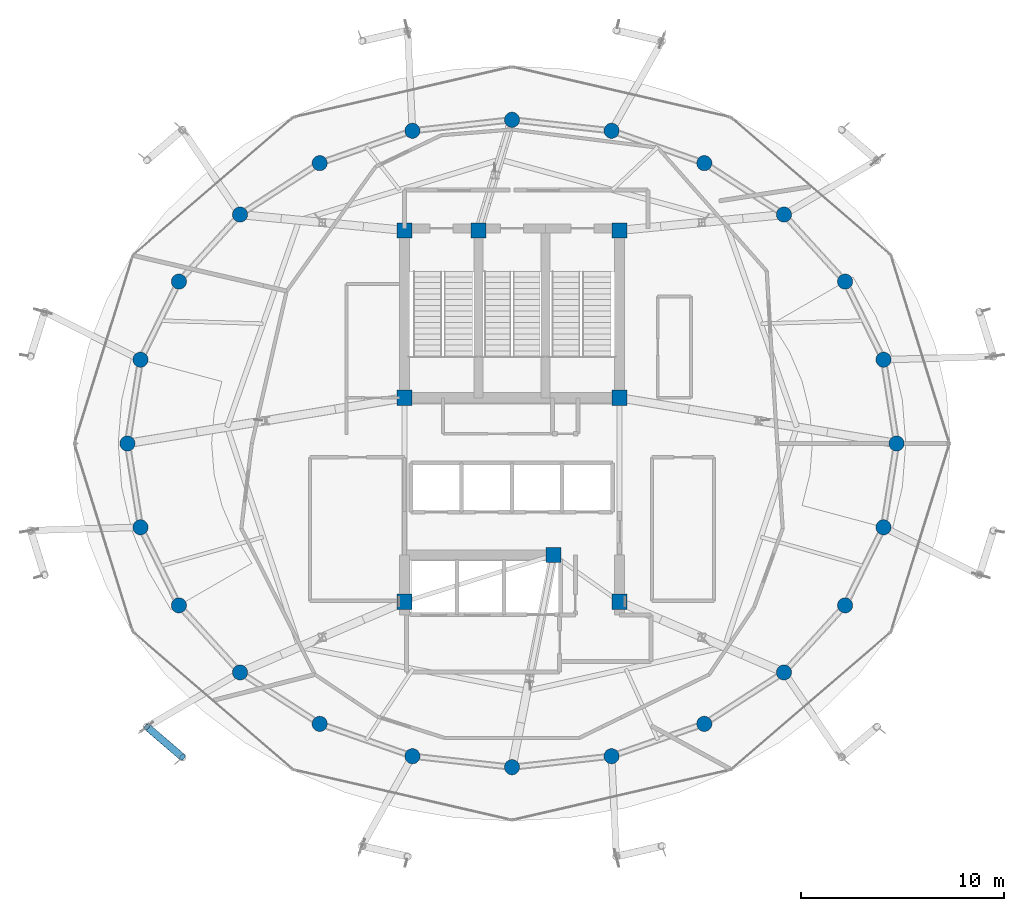
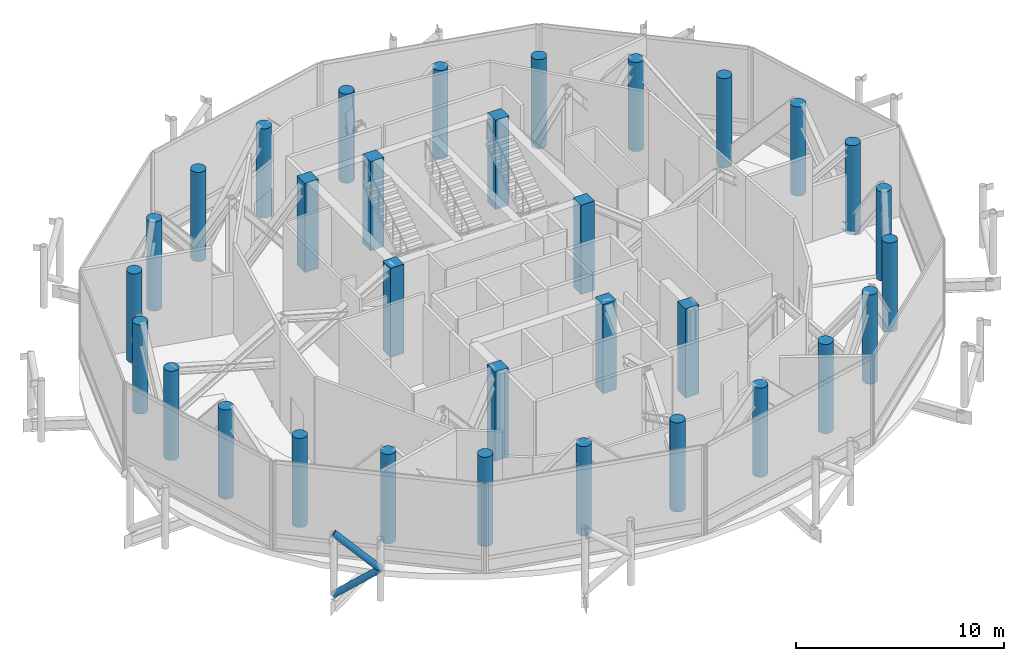
# One storey, part 1 of 26: 32 columns, 2 members.
"""IFC4 building model written with IfcOpenShell, lengths in metres."""

import ifcopenshell
import ifcopenshell.guid

model = None  # the IFC model being written
_history = None  # IfcOwnerHistory: only IFC2X3 demands one
_inside = {}  # id of a spatial element -> (the spatial element, [elements in it])
_under = {}  # id of a project, library or spatial element -> (it, [spatial elements below it])
_declared = {}  # id of a project -> (the project, [libraries it declares])
_typed = {}  # id of a type object -> (the type object, [elements of that type])
_made_of = {}  # id of a material, layer set ... -> (it, [elements and type objects made of it])


def new_model(schema):
    """Start an empty IFC model of exactly this schema.

    Asked for "IFC4X3", IfcOpenShell would pick the latest addendum, in which some entities
    have other attributes; the version numbers below select the first issue.
    IFC2X3 requires an IfcOwnerHistory on every rooted entity: one is made here for all.
    """
    global model, _history
    if schema == "IFC4X3":
        model = ifcopenshell.file(schema_version=(4, 3, 0, 0))
    else:
        model = ifcopenshell.file(schema=schema)
    _inside.clear()
    _under.clear()
    _declared.clear()
    _typed.clear()
    _made_of.clear()
    _history = None
    if model.schema == "IFC2X3":
        org = make("IfcOrganization", Name="unknown")
        user = make(
            "IfcPersonAndOrganization",
            ThePerson=make("IfcPerson", FamilyName="unknown"),
            TheOrganization=org,
        )
        app = make(
            "IfcApplication",
            ApplicationDeveloper=org,
            Version="unknown",
            ApplicationFullName="unknown",
            ApplicationIdentifier="unknown",
        )
        _history = make(
            "IfcOwnerHistory",
            OwningUser=user,
            OwningApplication=app,
            ChangeAction="ADDED",
            CreationDate=0,
        )
    return model


def make(cls, **values):
    """One entity of the class cls with the attributes given. An attribute that is None is left unset."""
    return model.create_entity(
        cls, **{name: value for name, value in values.items() if value is not None}
    )


def rooted(cls, **values):
    """An entity with a GlobalId (a new one), such as an element, a storey or a relation."""
    return make(cls, GlobalId=ifcopenshell.guid.new(), OwnerHistory=_history, **values)


def si_unit(unit_type, name, prefix=None):
    """IfcSIUnit, for example si_unit("LENGTHUNIT", "METRE", prefix="MILLI")."""
    return make("IfcSIUnit", UnitType=unit_type, Prefix=prefix, Name=name)


def assignment(units):
    """IfcUnitAssignment: the units of a project."""
    return None if units is None else make("IfcUnitAssignment", Units=units)


def point(xyz):
    """IfcCartesianPoint."""
    return None if xyz is None else make("IfcCartesianPoint", Coordinates=xyz)


def direction(xyz):
    """IfcDirection."""
    return None if xyz is None else make("IfcDirection", DirectionRatios=xyz)


def frame(location, z_axis=None, x_axis=None):
    """IfcAxis2Placement3D, a coordinate frame: its origin and axes. An axis left out is left unset."""
    return make(
        "IfcAxis2Placement3D",
        Location=point(location),
        Axis=direction(z_axis),
        RefDirection=direction(x_axis),
    )


def frame_2d(location, x_axis=None):
    """IfcAxis2Placement2D, a coordinate frame in the plane: its origin and x axis."""
    return make(
        "IfcAxis2Placement2D", Location=point(location), RefDirection=direction(x_axis)
    )


def origin():
    """The frame at (0, 0, 0) with its axes left unset."""
    return frame((0.0, 0.0, 0.0))


def origin_2d():
    """The frame at (0, 0) in the plane with its x axis left unset."""
    return frame_2d((0.0, 0.0))


def place(relative_to, where):
    """IfcLocalPlacement: puts the frame where relative to a parent placement (None: the world)."""
    return make(
        "IfcLocalPlacement", PlacementRelTo=relative_to, RelativePlacement=where
    )


def context(
    kind, dimensions, precision=None, world=None, true_north=None, identifier=None
):
    """IfcGeometricRepresentationContext, for example the 3D "Model" context."""
    return make(
        "IfcGeometricRepresentationContext",
        ContextIdentifier=identifier,
        ContextType=kind,
        CoordinateSpaceDimension=dimensions,
        Precision=precision,
        WorldCoordinateSystem=world,
        TrueNorth=true_north,
    )


def subcontext(parent, identifier, kind, view, scale=None):
    """IfcGeometricRepresentationSubContext, for example "Body" below "Model"."""
    return make(
        "IfcGeometricRepresentationSubContext",
        ContextIdentifier=identifier,
        ContextType=kind,
        ParentContext=parent,
        TargetScale=scale,
        TargetView=view,
    )


def project(units=None, contexts=None):
    """IfcProject with its units and contexts."""
    return rooted(
        "IfcProject",
        Name="project",
        RepresentationContexts=contexts,
        UnitsInContext=assignment(units),
    )


def spatial(cls, under=None, at=None, **own):
    """A site, building, storey or space (cls), placed at a placement, below another one or the project."""
    s = rooted(cls, ObjectPlacement=at, **own)
    if under is not None:
        _under.setdefault(under.id(), (under, []))[1].append(s)
    return s


def profile(cls, at=None, kind="AREA", **sizes):
    """A parametric profile (cls). Its sizes go by their IFC names, for example OverallWidth=200.0."""
    return make(cls, ProfileType=kind, Position=at, **sizes)


def rectangle(**sizes):
    """IfcRectangleProfileDef."""
    return profile("IfcRectangleProfileDef", **sizes)


def circle(**sizes):
    """IfcCircleProfileDef."""
    return profile("IfcCircleProfileDef", **sizes)


def hollow_circle(**sizes):
    """IfcCircleHollowProfileDef."""
    return profile("IfcCircleHollowProfileDef", **sizes)


def extrude(swept, where, along, depth):
    """IfcExtrudedAreaSolid: the profile swept, set in the frame where, extruded along a direction by depth."""
    return make(
        "IfcExtrudedAreaSolid",
        SweptArea=swept,
        Position=where,
        ExtrudedDirection=direction(along),
        Depth=depth,
    )


def shape(context_of_items, identifier, shape_type, items):
    """IfcShapeRepresentation: the items that make up one representation, for example the "Body"."""
    return make(
        "IfcShapeRepresentation",
        ContextOfItems=context_of_items,
        RepresentationIdentifier=identifier,
        RepresentationType=shape_type,
        Items=items,
    )


def material(Name=None, Category=None):
    """IfcMaterial."""
    return make("IfcMaterial", Name=Name, Category=Category)


def material_profile(
    of_material, cross_section, Name=None, Category=None, Priority=None
):
    """IfcMaterialProfile: a cross section and its material."""
    return make(
        "IfcMaterialProfile",
        Name=Name,
        Material=of_material,
        Profile=cross_section,
        Priority=Priority,
        Category=Category,
    )


def profile_set(profiles, Name=None, composite=None):
    """IfcMaterialProfileSet."""
    return make(
        "IfcMaterialProfileSet",
        Name=Name,
        MaterialProfiles=profiles,
        CompositeProfile=composite,
    )


def made_of(thing, what):
    """Note that an element or type object is made of a material, layer set ...; save() writes the relation."""
    if what is not None:
        _made_of.setdefault(what.id(), (what, []))[1].append(thing)
    return thing


def type_object(cls, material=None, **own):
    """A type object (cls), such as IfcWallType, which elements share."""
    return made_of(rooted(cls, **own), material)


def element(
    cls,
    number,
    at=None,
    inside=None,
    cuts=None,
    type_object=None,
    material=None,
    context=None,
    identifier="Body",
    shape_type=None,
    held_by="IfcProductDefinitionShape",
    body=None,
    shapes=None,
    **own,
):
    """One element of the class cls, such as IfcWall. Its Tag is "e" and its number.

    at: its placement. inside: the storey or other place that contains it. cuts: it is an
    opening in that element (IfcRelVoidsElement). A single representation is given by context,
    identifier, shape_type and body (its items); several are given by shapes. held_by: the class
    of the entity that holds the representations. save() writes the other relations.
    """
    e = rooted(cls, Tag="e%d" % number, ObjectPlacement=at, **own)
    if body is not None:
        shapes = [shape(context, identifier, shape_type, body)]
    if shapes is not None:
        e.Representation = make(held_by, Representations=shapes)
    if inside is not None:
        _inside.setdefault(inside.id(), (inside, []))[1].append(e)
    if cuts is not None:
        rooted(
            "IfcRelVoidsElement", RelatingBuildingElement=cuts, RelatedOpeningElement=e
        )
    if type_object is not None:
        _typed.setdefault(type_object.id(), (type_object, []))[1].append(e)
    return made_of(e, material)


def aggregate(whole, parts):
    """IfcRelAggregates: a whole, such as a stair, and the parts it consists of."""
    return rooted("IfcRelAggregates", RelatingObject=whole, RelatedObjects=parts)


def save(model, path):
    """Write the relations noted so far, then the file.

    IfcRelAggregates (storeys below a building ...), IfcRelContainedInSpatialStructure (elements
    in a storey), IfcRelDefinesByType, IfcRelAssociatesMaterial and IfcRelDeclares: one each for
    every whole, place, type object, material and project.
    """
    for whole, parts in _under.values():
        aggregate(whole, parts)
    for where, things in _inside.values():
        rooted(
            "IfcRelContainedInSpatialStructure",
            RelatedElements=things,
            RelatingStructure=where,
        )
    for kind, things in _typed.values():
        rooted("IfcRelDefinesByType", RelatedObjects=things, RelatingType=kind)
    for what, things in _made_of.values():
        rooted("IfcRelAssociatesMaterial", RelatedObjects=things, RelatingMaterial=what)
    for by, libraries in _declared.values():
        rooted("IfcRelDeclares", RelatingContext=by, RelatedDefinitions=libraries)
    model.write(path)


model = new_model("IFC4")

# Units and contexts
model_context = context("Model", 3, precision=1e-05, world=origin(), true_north=direction((0.0, 1.0)))
body_context = subcontext(model_context, "Body", "Model", "MODEL_VIEW")
ifc_project = project(units=[si_unit("LENGTHUNIT", "METRE"), si_unit("AREAUNIT", "SQUARE_METRE"), si_unit("VOLUMEUNIT", "CUBIC_METRE"), si_unit("PLANEANGLEUNIT", "RADIAN"), si_unit("MASSUNIT", "GRAM", prefix="KILO")], contexts=[model_context])

# Site, building, storey
site_placement = place(None, origin())
site = spatial("IfcSite", under=ifc_project, at=site_placement, CompositionType="ELEMENT")
building_placement = place(site_placement, origin())
building = spatial("IfcBuilding", under=site, at=building_placement, Name="Nuhasar Tower", CompositionType="ELEMENT")
storey_placement = place(building_placement, frame((0.0, 0.0, 301.199951171875)))
storey = spatial("IfcBuildingStorey", under=building, at=storey_placement, Name="L75", CompositionType="ELEMENT", Elevation=301.199951171875)

# Columns
ifc_material_1 = material(Name="Concrete C50/60", Category="concrete")
ifc_material_profile_1 = material_profile(ifc_material_1, circle(Radius=0.375, at=origin_2d()), Name="CFT750")
ifc_profile_set_1 = profile_set([ifc_material_profile_1], Name="Concrete C50/60")
column_type_1 = type_object("IfcColumnType", Name="COL-CFT-750", PredefinedType="COLUMN", material=ifc_profile_set_1)
for number, where, z_axis, x_axis, name in (
    (1, (57.949951171875, 26.800048828125, 0.0), (0.0, 0.0, 1.0), (1.0, 0.0, 0.0), "L75 Perimeter Composite Column TC-01"),
    (2, (57.303955078125, 30.927978515625, 0.0), (0.0, 0.0, 1.0), (1.0, 0.0, 0.0), "L75 Perimeter Composite Column TC-02"),
    (3, (55.410888671875, 34.77490234375, 0.0), (0.0, 0.0, 1.0), (1.0, 0.0, 0.0), "L75 Perimeter Composite Column TC-03"),
    (4, (52.39990234375, 38.077880859375, 0.0), (0.0, 0.0, 1.0), (1.0, 0.0, 0.0), "L75 Perimeter Composite Column TC-04"),
    (5, (48.47509765625, 40.613037109375, 0.0), (0.0, 0.0, 1.0), (1.0, 0.0, 0.0), "L75 Perimeter Composite Column TC-05"),
    (6, (43.905029296875, 42.20703125, 0.0), (0.0, 0.0, 1.0), (1.0, 0.0, 0.0), "L75 Perimeter Composite Column TC-06"),
    (7, (39.0, 42.75, 0.0), (0.0, 0.0, 1.0), (1.0, 0.0, 0.0), "L75 Perimeter Composite Column TC-07"),
    (8, (34.094970703125, 42.20703125, 0.0), (0.0, 0.0, 1.0), (1.0, 0.0, 0.0), "L75 Perimeter Composite Column TC-08"),
    (9, (29.52490234375, 40.613037109375, 0.0), (0.0, 0.0, 1.0), (1.0, 0.0, 0.0), "L75 Perimeter Composite Column TC-09"),
    (10, (25.60009765625, 38.077880859375, 0.0), (0.0, 0.0, 1.0), (1.0, 0.0, 0.0), "L75 Perimeter Composite Column TC-10"),
    (11, (22.589111328125, 34.77490234375, 0.0), (0.0, 0.0, 1.0), (1.0, 0.0, 0.0), "L75 Perimeter Composite Column TC-11"),
    (12, (20.696044921875, 30.927978515625, 0.0), (0.0, 0.0, 1.0), (1.0, 0.0, 0.0), "L75 Perimeter Composite Column TC-12"),
    (13, (20.050048828125, 26.800048828125, 0.0), (0.0, 0.0, 1.0), (1.0, 0.0, 0.0), "L75 Perimeter Composite Column TC-13"),
    (14, (20.696044921875, 22.672119140625, 0.0), (0.0, 0.0, 1.0), (1.0, 0.0, 0.0), "L75 Perimeter Composite Column TC-14"),
    (15, (22.589111328125, 18.824951171875, 0.0), (0.0, 0.0, 1.0), (1.0, 0.0, 0.0), "L75 Perimeter Composite Column TC-15"),
    (16, (25.60009765625, 15.52197265625, 0.0), (0.0, 0.0, 1.0), (1.0, 0.0, 0.0), "L75 Perimeter Composite Column TC-16"),
    (17, (29.52490234375, 12.987060546875, 0.0), (0.0, 0.0, 1.0), (1.0, 0.0, 0.0), "L75 Perimeter Composite Column TC-17"),
    (18, (34.094970703125, 11.39306640625, 0.0), (0.0, 0.0, 1.0), (1.0, 0.0, 0.0), "L75 Perimeter Composite Column TC-18"),
    (19, (39.0, 10.85009765625, 0.0), (0.0, 0.0, 1.0), (1.0, 0.0, 0.0), "L75 Perimeter Composite Column TC-19"),
    (20, (43.905029296875, 11.39306640625, 0.0), (0.0, 0.0, 1.0), (1.0, 0.0, 0.0), "L75 Perimeter Composite Column TC-20"),
    (21, (48.47509765625, 12.987060546875, 0.0), (0.0, 0.0, 1.0), (1.0, 0.0, 0.0), "L75 Perimeter Composite Column TC-21"),
    (22, (52.39990234375, 15.52197265625, 0.0), (0.0, 0.0, 1.0), (1.0, 0.0, 0.0), "L75 Perimeter Composite Column TC-22"),
    (23, (55.410888671875, 18.824951171875, 0.0), (0.0, 0.0, 1.0), (1.0, 0.0, 0.0), "L75 Perimeter Composite Column TC-23"),
    (24, (57.303955078125, 22.672119140625, 0.0), (0.0, 0.0, 1.0), (1.0, 0.0, 0.0), "L75 Perimeter Composite Column TC-24"),
):
    element("IfcColumn", number, at=place(storey_placement, frame(where, z_axis=z_axis, x_axis=x_axis)), inside=storey, type_object=column_type_1, Name=name, PredefinedType="COLUMN", context=body_context, shape_type="SweptSolid", body=[
        extrude(circle(Radius=0.375, at=origin_2d()), origin(), (0.0, 0.0, 1.0), 5.25),
    ])
ifc_material_profile_2 = material_profile(ifc_material_1, rectangle(XDim=0.75, YDim=0.75, at=origin_2d()), Name="RC750X750")
ifc_profile_set_2 = profile_set([ifc_material_profile_2], Name="Concrete C50/60")
column_type_2 = type_object("IfcColumnType", Name="PIL-RC-750", PredefinedType="PILASTER", material=ifc_profile_set_2)
for number, where, z_axis, x_axis, name in (
    (25, (33.699951171875, 19.0, 0.0), (0.0, 0.0, 1.0), (1.0, 0.0, 0.0), "L75 Core Boundary Pilaster CC-01"),
    (26, (41.050048828125, 21.300048828125, 0.0), (0.0, 0.0, 1.0), (1.0, 0.0, 0.0), "L75 Core Boundary Pilaster CC-02"),
    (27, (44.300048828125, 19.0, 0.0), (0.0, 0.0, 1.0), (1.0, 0.0, 0.0), "L75 Core Boundary Pilaster CC-03"),
    (28, (44.300048828125, 29.050048828125, 0.0), (0.0, 0.0, 1.0), (1.0, 0.0, 0.0), "L75 Core Boundary Pilaster CC-04"),
    (29, (44.300048828125, 37.300048828125, 0.0), (0.0, 0.0, 1.0), (1.0, 0.0, 0.0), "L75 Core Boundary Pilaster CC-05"),
    (30, (37.35009765625, 37.300048828125, 0.0), (0.0, 0.0, 1.0), (1.0, 0.0, 0.0), "L75 Core Boundary Pilaster CC-06"),
    (31, (33.699951171875, 37.300048828125, 0.0), (0.0, 0.0, 1.0), (1.0, 0.0, 0.0), "L75 Core Boundary Pilaster CC-07"),
    (32, (33.699951171875, 29.050048828125, 0.0), (0.0, 0.0, 1.0), (1.0, 0.0, 0.0), "L75 Core Boundary Pilaster CC-08"),
):
    element("IfcColumn", number, at=place(storey_placement, frame(where, z_axis=z_axis, x_axis=x_axis)), inside=storey, type_object=column_type_2, Name=name, PredefinedType="PILASTER", context=body_context, shape_type="SweptSolid", body=[
        extrude(rectangle(XDim=0.75, YDim=0.75, at=origin_2d()), origin(), (0.0, 0.0, 1.0), 5.25),
    ])

# Members
ifc_material_2 = material(Name="Steel S460", Category="steel")
ifc_material_profile_3 = material_profile(ifc_material_2, hollow_circle(Radius=0.177734375, WallThickness=0.015869140625, at=origin_2d()), Name="HSS355.6X15.9")
ifc_profile_set_3 = profile_set([ifc_material_profile_3], Name="Steel S460")
member_type = type_object("IfcMemberType", Name="EXO-BRONZE-356", PredefinedType="BRACE", material=ifc_profile_set_3)
for number, where, z_axis, x_axis, name in (
    (33, (21.01611328125, 12.842041015625, 0.0), (0.597154021397, -0.513303330726, 0.616381996326), (0.65185738425, 0.758341579104, 0.0), "L75 Bronze Diagrid Brace W1-08"),
    (34, (22.760009765625, 11.343017578125, 1.800048828125), (-0.597154021397, 0.513303330726, 0.616381996326), (-0.65185738425, -0.758341579104, 0.0), "L75 Bronze Diagrid Brace W2-08"),
):
    element("IfcMember", number, at=place(storey_placement, frame(where, z_axis=z_axis, x_axis=x_axis)), inside=storey, type_object=member_type, Name=name, PredefinedType="BRACE", context=body_context, shape_type="SweptSolid", body=[
        extrude(hollow_circle(Radius=0.177734375, WallThickness=0.015869140625, at=origin_2d()), origin(), (0.0, 0.0, 1.0), 2.92041015625),
    ])

save(model, "model.ifc")
